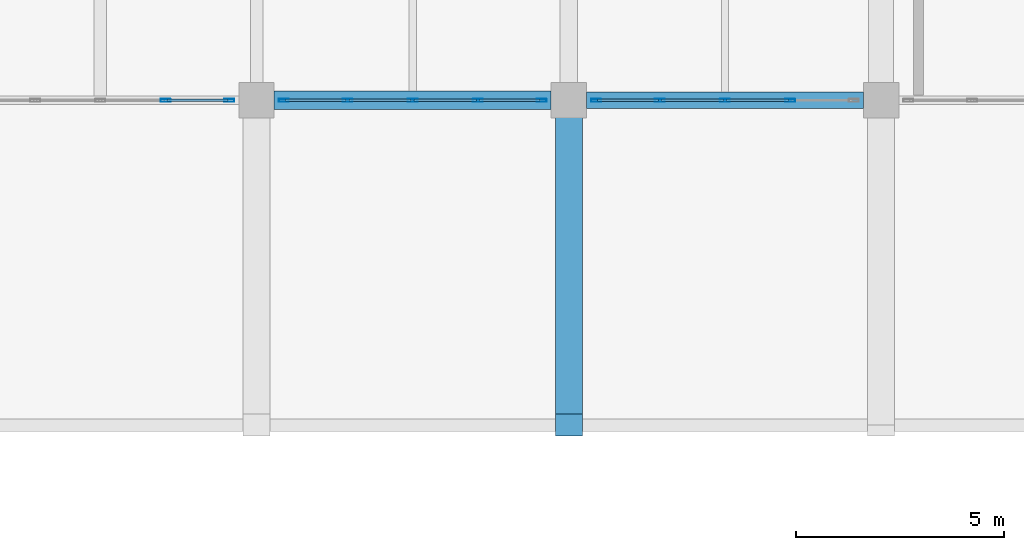
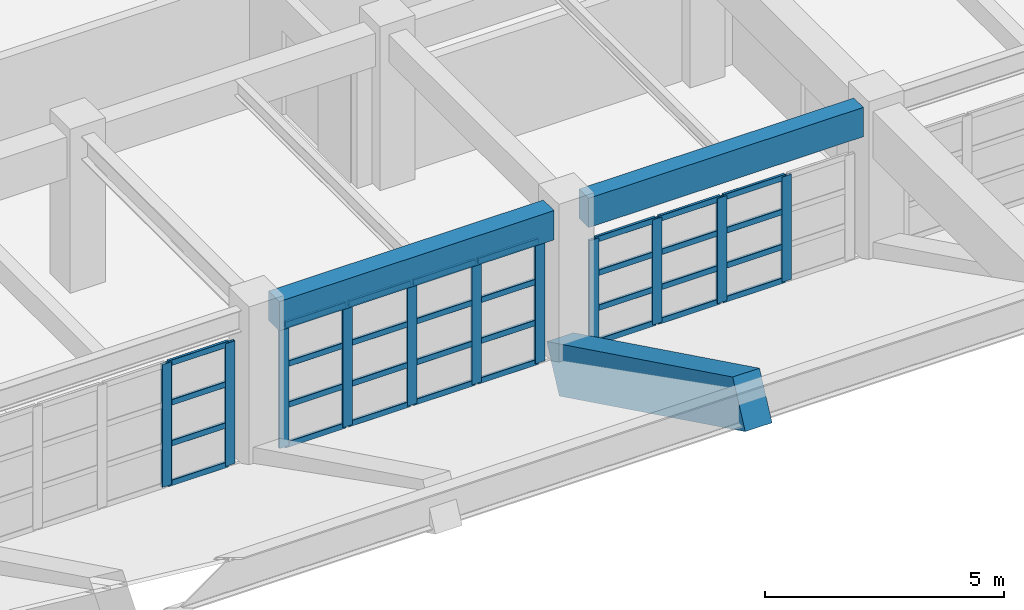
# One storey, part 32 of 132: 43 members, 3 beams, 3 elements without a shape of their own.
"""IFC4 building model written with IfcOpenShell, lengths in metres."""

from ifc_helpers import new_model, si_unit, direction, frame, origin, origin_2d, place, context, subcontext, project, spatial, rectangle, hollow_rectangle, extrude, material, material_profile, profile_set, type_object, element, aggregate, save


model = new_model("IFC4")

# Units and contexts
model_context = context("Model", 3, precision=1e-05, world=origin(), true_north=direction((0.0, 1.0)))
body_context = subcontext(model_context, "Body", "Model", "MODEL_VIEW")
ifc_project = project(units=[si_unit("LENGTHUNIT", "METRE"), si_unit("AREAUNIT", "SQUARE_METRE"), si_unit("VOLUMEUNIT", "CUBIC_METRE"), si_unit("PLANEANGLEUNIT", "RADIAN"), si_unit("MASSUNIT", "GRAM", prefix="KILO")], contexts=[model_context])

# Site, building, storey
site_placement = place(None, origin())
site = spatial("IfcSite", under=ifc_project, at=site_placement, CompositionType="ELEMENT")
building_placement = place(site_placement, origin())
building = spatial("IfcBuilding", under=site, at=building_placement, Name="Qasida Concert Hall", CompositionType="ELEMENT")
storey_placement = place(building_placement, frame((0.0, 0.0, 4.800048828125)))
storey = spatial("IfcBuildingStorey", under=building, at=storey_placement, Name="L01", CompositionType="ELEMENT", Elevation=4.800048828125)

# Beams
ifc_material_1 = material(Name="Concrete C50/60", Category="concrete")
ifc_material_profile_1 = material_profile(ifc_material_1, rectangle(XDim=0.64990234375, YDim=1.199951171875, at=origin_2d()), Name="RC 650x1200")
ifc_profile_set_1 = profile_set([ifc_material_profile_1], Name="Concrete C50/60")
beam_type_1 = type_object("IfcBeamType", Name="BM-CG-1200", PredefinedType="USERDEFINED", material=ifc_profile_set_1)
beam_1_placement = place(storey_placement, frame((90.0, 22.5, -0.300048828125), z_axis=(0.0, -0.898079250291, 0.439833673332), x_axis=(1.0, 0.0, 0.0)))
element("IfcBeam", 1, at=beam_1_placement, inside=storey, type_object=beam_type_1, Name="Upward-raked entrance soffit girder CGRK-900", ObjectType="GIRDER", PredefinedType="USERDEFINED", context=body_context, shape_type="SweptSolid", body=[
    extrude(rectangle(XDim=0.64990234375, YDim=1.199951171875, at=origin_2d()), origin(), (0.0, 0.0, 1.0), 8.685302734375),
])
ifc_material_2 = material(Name="Concrete C40/50", Category="concrete")
ifc_material_profile_2 = material_profile(ifc_material_2, rectangle(XDim=0.39990234375, YDim=0.75, at=origin_2d()), Name="RC 400x750")
ifc_profile_set_2 = profile_set([ifc_material_profile_2], Name="Concrete C40/50")
beam_type_2 = type_object("IfcBeamType", Name="BM-SP1", PredefinedType="SPANDREL", material=ifc_profile_set_2)
beam_2_placement = place(storey_placement, frame((90.425048828125, 22.5, 3.544921875), z_axis=(1.0, 0.0, 0.0), x_axis=(0.0, 1.0, 0.0)))
element("IfcBeam", 2, at=beam_2_placement, inside=storey, type_object=beam_type_2, Name="Primary girder 0765", PredefinedType="SPANDREL", context=body_context, shape_type="SweptSolid", body=[
    extrude(rectangle(XDim=0.39990234375, YDim=0.75, at=origin_2d()), origin(), (0.0, 0.0, 1.0), 6.64990234375),
])
ifc_material_profile_3 = material_profile(ifc_material_2, rectangle(XDim=0.449951171875, YDim=0.75, at=origin_2d()), Name="RC 450x750")
ifc_profile_set_3 = profile_set([ifc_material_profile_3], Name="Concrete C40/50")
beam_type_3 = type_object("IfcBeamType", Name="BM-SP4", PredefinedType="SPANDREL", material=ifc_profile_set_3)
beam_3_placement = place(storey_placement, frame((82.925048828125, 22.5, 3.544921875), z_axis=(1.0, 0.0, 0.0), x_axis=(0.0, 1.0, 0.0)))
element("IfcBeam", 3, at=beam_3_placement, inside=storey, type_object=beam_type_3, Name="Primary girder 0764", PredefinedType="SPANDREL", context=body_context, shape_type="SweptSolid", body=[
    extrude(rectangle(XDim=0.449951171875, YDim=0.75, at=origin_2d()), origin(), (0.0, 0.0, 1.0), 6.64990234375),
])

# Curtain wall, members
ifc_material_3 = material(Name="Architectural bronze-anodized aluminium and low-E glass", Category="aluminium")
curtain_wall_type = type_object("IfcCurtainWallType", Name="CW-02", PredefinedType="NOTDEFINED", material=ifc_material_3)
curtain_wall_1_placement = place(storey_placement, origin())
curtain_wall_1 = element("IfcCurtainWall", 4, at=curtain_wall_1_placement, inside=storey, type_object=curtain_wall_type, Name="L01 curtain wall CW-02 0004", PredefinedType="NOTDEFINED")
ifc_material_4 = material(Name="Architectural bronze-anodized aluminium EN AW-6063", Category="aluminium")
ifc_material_profile_4 = material_profile(ifc_material_4, hollow_rectangle(XDim=0.070068359375, YDim=0.239990234375, WallThickness=0.0048828125, InnerFilletRadius=0.0048828125, OuterFilletRadius=0.010009765625, at=origin_2d()), Name="CWM 240x70x5")
ifc_profile_set_4 = profile_set([ifc_material_profile_4], Name="Architectural bronze-anodized aluminium EN AW-6063")
member_type_1 = type_object("IfcMemberType", Name="MB-CWM-1", PredefinedType="MULLION", material=ifc_profile_set_4)
member_1_placement = place(storey_placement, frame((80.31494140625, 22.5, 0.0), z_axis=(0.0, 0.0, 1.0), x_axis=(0.0, 1.0, 0.0)))
member_1 = element("IfcMember", 5, at=member_1_placement, type_object=member_type_1, Name="CW-02 mullion 4", PredefinedType="MULLION", context=body_context, shape_type="SweptSolid", body=[
    extrude(hollow_rectangle(XDim=0.070068359375, YDim=0.239990234375, WallThickness=0.0048828125, InnerFilletRadius=0.0048828125, OuterFilletRadius=0.010009765625, at=origin_2d()), origin(), (0.0, 0.0, 1.0), 3.139892578125),
])
member_2_placement = place(storey_placement, frame((81.844970703125, 22.5, 0.0), z_axis=(0.0, 0.0, 1.0), x_axis=(0.0, 1.0, 0.0)))
member_2 = element("IfcMember", 6, at=member_2_placement, type_object=member_type_1, Name="CW-02 mullion 5", PredefinedType="MULLION", context=body_context, shape_type="SweptSolid", body=[
    extrude(hollow_rectangle(XDim=0.070068359375, YDim=0.239990234375, WallThickness=0.0048828125, InnerFilletRadius=0.0048828125, OuterFilletRadius=0.010009765625, at=origin_2d()), origin(), (0.0, 0.0, 1.0), 3.139892578125),
])

curtain_wall_2_placement = place(storey_placement, origin())
curtain_wall_2 = element("IfcCurtainWall", 7, at=curtain_wall_2_placement, inside=storey, type_object=curtain_wall_type, Name="L01 curtain wall CW-02 0005", PredefinedType="NOTDEFINED")
member_3_placement = place(storey_placement, frame((83.155029296875, 22.5, 0.0), z_axis=(0.0, 0.0, 1.0), x_axis=(0.0, 1.0, 0.0)))
member_3 = element("IfcMember", 8, at=member_3_placement, type_object=member_type_1, Name="CW-02 mullion 1", PredefinedType="MULLION", context=body_context, shape_type="SweptSolid", body=[
    extrude(hollow_rectangle(XDim=0.070068359375, YDim=0.239990234375, WallThickness=0.0048828125, InnerFilletRadius=0.0048828125, OuterFilletRadius=0.010009765625, at=origin_2d()), origin(), (0.0, 0.0, 1.0), 3.139892578125),
])
member_4_placement = place(storey_placement, frame((84.68505859375, 22.5, 0.0), z_axis=(0.0, 0.0, 1.0), x_axis=(0.0, 1.0, 0.0)))
member_4 = element("IfcMember", 9, at=member_4_placement, type_object=member_type_1, Name="CW-02 mullion 2", PredefinedType="MULLION", context=body_context, shape_type="SweptSolid", body=[
    extrude(hollow_rectangle(XDim=0.070068359375, YDim=0.239990234375, WallThickness=0.0048828125, InnerFilletRadius=0.0048828125, OuterFilletRadius=0.010009765625, at=origin_2d()), origin(), (0.0, 0.0, 1.0), 3.139892578125),
])
member_5_placement = place(storey_placement, frame((86.25, 22.5, 0.0), z_axis=(0.0, 0.0, 1.0), x_axis=(0.0, 1.0, 0.0)))
member_5 = element("IfcMember", 10, at=member_5_placement, type_object=member_type_1, Name="CW-02 mullion 3", PredefinedType="MULLION", context=body_context, shape_type="SweptSolid", body=[
    extrude(hollow_rectangle(XDim=0.070068359375, YDim=0.239990234375, WallThickness=0.0048828125, InnerFilletRadius=0.0048828125, OuterFilletRadius=0.010009765625, at=origin_2d()), origin(), (0.0, 0.0, 1.0), 3.139892578125),
])
member_6_placement = place(storey_placement, frame((87.81494140625, 22.5, 0.0), z_axis=(0.0, 0.0, 1.0), x_axis=(0.0, 1.0, 0.0)))
member_6 = element("IfcMember", 11, at=member_6_placement, type_object=member_type_1, Name="CW-02 mullion 4", PredefinedType="MULLION", context=body_context, shape_type="SweptSolid", body=[
    extrude(hollow_rectangle(XDim=0.070068359375, YDim=0.239990234375, WallThickness=0.0048828125, InnerFilletRadius=0.0048828125, OuterFilletRadius=0.010009765625, at=origin_2d()), origin(), (0.0, 0.0, 1.0), 3.139892578125),
])
member_7_placement = place(storey_placement, frame((89.344970703125, 22.5, 0.0), z_axis=(0.0, 0.0, 1.0), x_axis=(0.0, 1.0, 0.0)))
member_7 = element("IfcMember", 12, at=member_7_placement, type_object=member_type_1, Name="CW-02 mullion 5", PredefinedType="MULLION", context=body_context, shape_type="SweptSolid", body=[
    extrude(hollow_rectangle(XDim=0.070068359375, YDim=0.239990234375, WallThickness=0.0048828125, InnerFilletRadius=0.0048828125, OuterFilletRadius=0.010009765625, at=origin_2d()), origin(), (0.0, 0.0, 1.0), 3.139892578125),
])

curtain_wall_3_placement = place(storey_placement, origin())
curtain_wall_3 = element("IfcCurtainWall", 13, at=curtain_wall_3_placement, inside=storey, type_object=curtain_wall_type, Name="L01 curtain wall CW-02 0006", PredefinedType="NOTDEFINED")
member_8_placement = place(storey_placement, frame((90.655029296875, 22.5, 0.0), z_axis=(0.0, 0.0, 1.0), x_axis=(0.0, 1.0, 0.0)))
member_8 = element("IfcMember", 14, at=member_8_placement, type_object=member_type_1, Name="CW-02 mullion 1", PredefinedType="MULLION", context=body_context, shape_type="SweptSolid", body=[
    extrude(hollow_rectangle(XDim=0.070068359375, YDim=0.239990234375, WallThickness=0.0048828125, InnerFilletRadius=0.0048828125, OuterFilletRadius=0.010009765625, at=origin_2d()), origin(), (0.0, 0.0, 1.0), 2.68994140625),
])
member_9_placement = place(storey_placement, frame((92.18505859375, 22.5, 0.0), z_axis=(0.0, 0.0, 1.0), x_axis=(0.0, 1.0, 0.0)))
member_9 = element("IfcMember", 15, at=member_9_placement, type_object=member_type_1, Name="CW-02 mullion 2", PredefinedType="MULLION", context=body_context, shape_type="SweptSolid", body=[
    extrude(hollow_rectangle(XDim=0.070068359375, YDim=0.239990234375, WallThickness=0.0048828125, InnerFilletRadius=0.0048828125, OuterFilletRadius=0.010009765625, at=origin_2d()), origin(), (0.0, 0.0, 1.0), 2.68994140625),
])
member_10_placement = place(storey_placement, frame((93.75, 22.5, 0.0), z_axis=(0.0, 0.0, 1.0), x_axis=(0.0, 1.0, 0.0)))
member_10 = element("IfcMember", 16, at=member_10_placement, type_object=member_type_1, Name="CW-02 mullion 3", PredefinedType="MULLION", context=body_context, shape_type="SweptSolid", body=[
    extrude(hollow_rectangle(XDim=0.070068359375, YDim=0.239990234375, WallThickness=0.0048828125, InnerFilletRadius=0.0048828125, OuterFilletRadius=0.010009765625, at=origin_2d()), origin(), (0.0, 0.0, 1.0), 2.68994140625),
])
member_11_placement = place(storey_placement, frame((95.31494140625, 22.5, 0.0), z_axis=(0.0, 0.0, 1.0), x_axis=(0.0, 1.0, 0.0)))
member_11 = element("IfcMember", 17, at=member_11_placement, type_object=member_type_1, Name="CW-02 mullion 4", PredefinedType="MULLION", context=body_context, shape_type="SweptSolid", body=[
    extrude(hollow_rectangle(XDim=0.070068359375, YDim=0.239990234375, WallThickness=0.0048828125, InnerFilletRadius=0.0048828125, OuterFilletRadius=0.010009765625, at=origin_2d()), origin(), (0.0, 0.0, 1.0), 2.68994140625),
])

# Member
ifc_material_profile_5 = material_profile(ifc_material_4, hollow_rectangle(XDim=0.06494140625, YDim=0.14990234375, WallThickness=0.00390625, InnerFilletRadius=0.00390625, OuterFilletRadius=0.008056640625, at=origin_2d()), Name="CWT 150x65x4")
ifc_profile_set_5 = profile_set([ifc_material_profile_5], Name="Architectural bronze-anodized aluminium EN AW-6063")
member_type_2 = type_object("IfcMemberType", Name="MB-CWT-1", PredefinedType="USERDEFINED", material=ifc_profile_set_5)
member_12_placement = place(storey_placement, frame((80.35009765625, 22.5, 0.032470703125), z_axis=(1.0, 0.0, 0.0), x_axis=(0.0, 1.0, 0.0)))
member_12 = element("IfcMember", 18, at=member_12_placement, type_object=member_type_2, Name="CW-02 transom 4.1", ObjectType="TRANSOM", PredefinedType="USERDEFINED", context=body_context, shape_type="SweptSolid", body=[
    extrude(hollow_rectangle(XDim=0.06494140625, YDim=0.14990234375, WallThickness=0.00390625, InnerFilletRadius=0.00390625, OuterFilletRadius=0.008056640625, at=origin_2d()), origin(), (0.0, 0.0, 1.0), 1.4599609375),
])

member_13_placement = place(storey_placement, frame((80.35009765625, 22.5, 1.046630859375), z_axis=(1.0, 0.0, 0.0), x_axis=(0.0, 1.0, 0.0)))
member_13 = element("IfcMember", 19, at=member_13_placement, type_object=member_type_2, Name="CW-02 transom 4.2", ObjectType="TRANSOM", PredefinedType="USERDEFINED", context=body_context, shape_type="SweptSolid", body=[
    extrude(hollow_rectangle(XDim=0.06494140625, YDim=0.14990234375, WallThickness=0.00390625, InnerFilletRadius=0.00390625, OuterFilletRadius=0.008056640625, at=origin_2d()), origin(), (0.0, 0.0, 1.0), 1.4599609375),
])

member_14_placement = place(storey_placement, frame((80.35009765625, 22.5, 2.09326171875), z_axis=(1.0, 0.0, 0.0), x_axis=(0.0, 1.0, 0.0)))
member_14 = element("IfcMember", 20, at=member_14_placement, type_object=member_type_2, Name="CW-02 transom 4.3", ObjectType="TRANSOM", PredefinedType="USERDEFINED", context=body_context, shape_type="SweptSolid", body=[
    extrude(hollow_rectangle(XDim=0.06494140625, YDim=0.14990234375, WallThickness=0.00390625, InnerFilletRadius=0.00390625, OuterFilletRadius=0.008056640625, at=origin_2d()), origin(), (0.0, 0.0, 1.0), 1.4599609375),
])

member_15_placement = place(storey_placement, frame((80.35009765625, 22.5, 3.107421875), z_axis=(1.0, 0.0, 0.0), x_axis=(0.0, 1.0, 0.0)))
member_15 = element("IfcMember", 21, at=member_15_placement, type_object=member_type_2, Name="CW-02 transom 4.4", ObjectType="TRANSOM", PredefinedType="USERDEFINED", context=body_context, shape_type="SweptSolid", body=[
    extrude(hollow_rectangle(XDim=0.06494140625, YDim=0.14990234375, WallThickness=0.00390625, InnerFilletRadius=0.00390625, OuterFilletRadius=0.008056640625, at=origin_2d()), origin(), (0.0, 0.0, 1.0), 1.4599609375),
])

aggregate(curtain_wall_1, [member_1, member_2, member_12, member_13, member_14, member_15])

member_16_placement = place(storey_placement, frame((83.18994140625, 22.5, 0.032470703125), z_axis=(1.0, 0.0, 0.0), x_axis=(0.0, 1.0, 0.0)))
member_16 = element("IfcMember", 22, at=member_16_placement, type_object=member_type_2, Name="CW-02 transom 1.1", ObjectType="TRANSOM", PredefinedType="USERDEFINED", context=body_context, shape_type="SweptSolid", body=[
    extrude(hollow_rectangle(XDim=0.06494140625, YDim=0.14990234375, WallThickness=0.00390625, InnerFilletRadius=0.00390625, OuterFilletRadius=0.008056640625, at=origin_2d()), origin(), (0.0, 0.0, 1.0), 1.4599609375),
])

member_17_placement = place(storey_placement, frame((83.18994140625, 22.5, 1.046630859375), z_axis=(1.0, 0.0, 0.0), x_axis=(0.0, 1.0, 0.0)))
member_17 = element("IfcMember", 23, at=member_17_placement, type_object=member_type_2, Name="CW-02 transom 1.2", ObjectType="TRANSOM", PredefinedType="USERDEFINED", context=body_context, shape_type="SweptSolid", body=[
    extrude(hollow_rectangle(XDim=0.06494140625, YDim=0.14990234375, WallThickness=0.00390625, InnerFilletRadius=0.00390625, OuterFilletRadius=0.008056640625, at=origin_2d()), origin(), (0.0, 0.0, 1.0), 1.4599609375),
])

member_18_placement = place(storey_placement, frame((83.18994140625, 22.5, 2.09326171875), z_axis=(1.0, 0.0, 0.0), x_axis=(0.0, 1.0, 0.0)))
member_18 = element("IfcMember", 24, at=member_18_placement, type_object=member_type_2, Name="CW-02 transom 1.3", ObjectType="TRANSOM", PredefinedType="USERDEFINED", context=body_context, shape_type="SweptSolid", body=[
    extrude(hollow_rectangle(XDim=0.06494140625, YDim=0.14990234375, WallThickness=0.00390625, InnerFilletRadius=0.00390625, OuterFilletRadius=0.008056640625, at=origin_2d()), origin(), (0.0, 0.0, 1.0), 1.4599609375),
])

member_19_placement = place(storey_placement, frame((83.18994140625, 22.5, 3.107421875), z_axis=(1.0, 0.0, 0.0), x_axis=(0.0, 1.0, 0.0)))
member_19 = element("IfcMember", 25, at=member_19_placement, type_object=member_type_2, Name="CW-02 transom 1.4", ObjectType="TRANSOM", PredefinedType="USERDEFINED", context=body_context, shape_type="SweptSolid", body=[
    extrude(hollow_rectangle(XDim=0.06494140625, YDim=0.14990234375, WallThickness=0.00390625, InnerFilletRadius=0.00390625, OuterFilletRadius=0.008056640625, at=origin_2d()), origin(), (0.0, 0.0, 1.0), 1.4599609375),
])

member_20_placement = place(storey_placement, frame((84.719970703125, 22.5, 0.032470703125), z_axis=(1.0, 0.0, 0.0), x_axis=(0.0, 1.0, 0.0)))
member_20 = element("IfcMember", 26, at=member_20_placement, type_object=member_type_2, Name="CW-02 transom 2.1", ObjectType="TRANSOM", PredefinedType="USERDEFINED", context=body_context, shape_type="SweptSolid", body=[
    extrude(hollow_rectangle(XDim=0.06494140625, YDim=0.14990234375, WallThickness=0.00390625, InnerFilletRadius=0.00390625, OuterFilletRadius=0.008056640625, at=origin_2d()), origin(), (0.0, 0.0, 1.0), 1.4951171875),
])

member_21_placement = place(storey_placement, frame((84.719970703125, 22.5, 1.046630859375), z_axis=(1.0, 0.0, 0.0), x_axis=(0.0, 1.0, 0.0)))
member_21 = element("IfcMember", 27, at=member_21_placement, type_object=member_type_2, Name="CW-02 transom 2.2", ObjectType="TRANSOM", PredefinedType="USERDEFINED", context=body_context, shape_type="SweptSolid", body=[
    extrude(hollow_rectangle(XDim=0.06494140625, YDim=0.14990234375, WallThickness=0.00390625, InnerFilletRadius=0.00390625, OuterFilletRadius=0.008056640625, at=origin_2d()), origin(), (0.0, 0.0, 1.0), 1.4951171875),
])

member_22_placement = place(storey_placement, frame((84.719970703125, 22.5, 2.09326171875), z_axis=(1.0, 0.0, 0.0), x_axis=(0.0, 1.0, 0.0)))
member_22 = element("IfcMember", 28, at=member_22_placement, type_object=member_type_2, Name="CW-02 transom 2.3", ObjectType="TRANSOM", PredefinedType="USERDEFINED", context=body_context, shape_type="SweptSolid", body=[
    extrude(hollow_rectangle(XDim=0.06494140625, YDim=0.14990234375, WallThickness=0.00390625, InnerFilletRadius=0.00390625, OuterFilletRadius=0.008056640625, at=origin_2d()), origin(), (0.0, 0.0, 1.0), 1.4951171875),
])

member_23_placement = place(storey_placement, frame((84.719970703125, 22.5, 3.107421875), z_axis=(1.0, 0.0, 0.0), x_axis=(0.0, 1.0, 0.0)))
member_23 = element("IfcMember", 29, at=member_23_placement, type_object=member_type_2, Name="CW-02 transom 2.4", ObjectType="TRANSOM", PredefinedType="USERDEFINED", context=body_context, shape_type="SweptSolid", body=[
    extrude(hollow_rectangle(XDim=0.06494140625, YDim=0.14990234375, WallThickness=0.00390625, InnerFilletRadius=0.00390625, OuterFilletRadius=0.008056640625, at=origin_2d()), origin(), (0.0, 0.0, 1.0), 1.4951171875),
])

member_24_placement = place(storey_placement, frame((86.284912109375, 22.5, 0.032470703125), z_axis=(1.0, 0.0, 0.0), x_axis=(0.0, 1.0, 0.0)))
member_24 = element("IfcMember", 30, at=member_24_placement, type_object=member_type_2, Name="CW-02 transom 3.1", ObjectType="TRANSOM", PredefinedType="USERDEFINED", context=body_context, shape_type="SweptSolid", body=[
    extrude(hollow_rectangle(XDim=0.06494140625, YDim=0.14990234375, WallThickness=0.00390625, InnerFilletRadius=0.00390625, OuterFilletRadius=0.008056640625, at=origin_2d()), origin(), (0.0, 0.0, 1.0), 1.4951171875),
])

member_25_placement = place(storey_placement, frame((86.284912109375, 22.5, 1.046630859375), z_axis=(1.0, 0.0, 0.0), x_axis=(0.0, 1.0, 0.0)))
member_25 = element("IfcMember", 31, at=member_25_placement, type_object=member_type_2, Name="CW-02 transom 3.2", ObjectType="TRANSOM", PredefinedType="USERDEFINED", context=body_context, shape_type="SweptSolid", body=[
    extrude(hollow_rectangle(XDim=0.06494140625, YDim=0.14990234375, WallThickness=0.00390625, InnerFilletRadius=0.00390625, OuterFilletRadius=0.008056640625, at=origin_2d()), origin(), (0.0, 0.0, 1.0), 1.4951171875),
])

member_26_placement = place(storey_placement, frame((86.284912109375, 22.5, 2.09326171875), z_axis=(1.0, 0.0, 0.0), x_axis=(0.0, 1.0, 0.0)))
member_26 = element("IfcMember", 32, at=member_26_placement, type_object=member_type_2, Name="CW-02 transom 3.3", ObjectType="TRANSOM", PredefinedType="USERDEFINED", context=body_context, shape_type="SweptSolid", body=[
    extrude(hollow_rectangle(XDim=0.06494140625, YDim=0.14990234375, WallThickness=0.00390625, InnerFilletRadius=0.00390625, OuterFilletRadius=0.008056640625, at=origin_2d()), origin(), (0.0, 0.0, 1.0), 1.4951171875),
])

member_27_placement = place(storey_placement, frame((86.284912109375, 22.5, 3.107421875), z_axis=(1.0, 0.0, 0.0), x_axis=(0.0, 1.0, 0.0)))
member_27 = element("IfcMember", 33, at=member_27_placement, type_object=member_type_2, Name="CW-02 transom 3.4", ObjectType="TRANSOM", PredefinedType="USERDEFINED", context=body_context, shape_type="SweptSolid", body=[
    extrude(hollow_rectangle(XDim=0.06494140625, YDim=0.14990234375, WallThickness=0.00390625, InnerFilletRadius=0.00390625, OuterFilletRadius=0.008056640625, at=origin_2d()), origin(), (0.0, 0.0, 1.0), 1.4951171875),
])

member_28_placement = place(storey_placement, frame((87.85009765625, 22.5, 0.032470703125), z_axis=(1.0, 0.0, 0.0), x_axis=(0.0, 1.0, 0.0)))
member_28 = element("IfcMember", 34, at=member_28_placement, type_object=member_type_2, Name="CW-02 transom 4.1", ObjectType="TRANSOM", PredefinedType="USERDEFINED", context=body_context, shape_type="SweptSolid", body=[
    extrude(hollow_rectangle(XDim=0.06494140625, YDim=0.14990234375, WallThickness=0.00390625, InnerFilletRadius=0.00390625, OuterFilletRadius=0.008056640625, at=origin_2d()), origin(), (0.0, 0.0, 1.0), 1.4599609375),
])

member_29_placement = place(storey_placement, frame((87.85009765625, 22.5, 1.046630859375), z_axis=(1.0, 0.0, 0.0), x_axis=(0.0, 1.0, 0.0)))
member_29 = element("IfcMember", 35, at=member_29_placement, type_object=member_type_2, Name="CW-02 transom 4.2", ObjectType="TRANSOM", PredefinedType="USERDEFINED", context=body_context, shape_type="SweptSolid", body=[
    extrude(hollow_rectangle(XDim=0.06494140625, YDim=0.14990234375, WallThickness=0.00390625, InnerFilletRadius=0.00390625, OuterFilletRadius=0.008056640625, at=origin_2d()), origin(), (0.0, 0.0, 1.0), 1.4599609375),
])

member_30_placement = place(storey_placement, frame((87.85009765625, 22.5, 2.09326171875), z_axis=(1.0, 0.0, 0.0), x_axis=(0.0, 1.0, 0.0)))
member_30 = element("IfcMember", 36, at=member_30_placement, type_object=member_type_2, Name="CW-02 transom 4.3", ObjectType="TRANSOM", PredefinedType="USERDEFINED", context=body_context, shape_type="SweptSolid", body=[
    extrude(hollow_rectangle(XDim=0.06494140625, YDim=0.14990234375, WallThickness=0.00390625, InnerFilletRadius=0.00390625, OuterFilletRadius=0.008056640625, at=origin_2d()), origin(), (0.0, 0.0, 1.0), 1.4599609375),
])

member_31_placement = place(storey_placement, frame((87.85009765625, 22.5, 3.107421875), z_axis=(1.0, 0.0, 0.0), x_axis=(0.0, 1.0, 0.0)))
member_31 = element("IfcMember", 37, at=member_31_placement, type_object=member_type_2, Name="CW-02 transom 4.4", ObjectType="TRANSOM", PredefinedType="USERDEFINED", context=body_context, shape_type="SweptSolid", body=[
    extrude(hollow_rectangle(XDim=0.06494140625, YDim=0.14990234375, WallThickness=0.00390625, InnerFilletRadius=0.00390625, OuterFilletRadius=0.008056640625, at=origin_2d()), origin(), (0.0, 0.0, 1.0), 1.4599609375),
])

aggregate(curtain_wall_2, [member_3, member_4, member_5, member_6, member_7, member_16, member_17, member_18, member_19, member_20, member_21, member_22, member_23, member_24, member_25, member_26, member_27, member_28, member_29, member_30, member_31])

member_32_placement = place(storey_placement, frame((90.68994140625, 22.5, 0.032470703125), z_axis=(1.0, 0.0, 0.0), x_axis=(0.0, 1.0, 0.0)))
member_32 = element("IfcMember", 38, at=member_32_placement, type_object=member_type_2, Name="CW-02 transom 1.1", ObjectType="TRANSOM", PredefinedType="USERDEFINED", context=body_context, shape_type="SweptSolid", body=[
    extrude(hollow_rectangle(XDim=0.06494140625, YDim=0.14990234375, WallThickness=0.00390625, InnerFilletRadius=0.00390625, OuterFilletRadius=0.008056640625, at=origin_2d()), origin(), (0.0, 0.0, 1.0), 1.4599609375),
])

member_33_placement = place(storey_placement, frame((90.68994140625, 22.5, 0.896728515625), z_axis=(1.0, 0.0, 0.0), x_axis=(0.0, 1.0, 0.0)))
member_33 = element("IfcMember", 39, at=member_33_placement, type_object=member_type_2, Name="CW-02 transom 1.2", ObjectType="TRANSOM", PredefinedType="USERDEFINED", context=body_context, shape_type="SweptSolid", body=[
    extrude(hollow_rectangle(XDim=0.06494140625, YDim=0.14990234375, WallThickness=0.00390625, InnerFilletRadius=0.00390625, OuterFilletRadius=0.008056640625, at=origin_2d()), origin(), (0.0, 0.0, 1.0), 1.4599609375),
])

member_34_placement = place(storey_placement, frame((90.68994140625, 22.5, 1.793212890625), z_axis=(1.0, 0.0, 0.0), x_axis=(0.0, 1.0, 0.0)))
member_34 = element("IfcMember", 40, at=member_34_placement, type_object=member_type_2, Name="CW-02 transom 1.3", ObjectType="TRANSOM", PredefinedType="USERDEFINED", context=body_context, shape_type="SweptSolid", body=[
    extrude(hollow_rectangle(XDim=0.06494140625, YDim=0.14990234375, WallThickness=0.00390625, InnerFilletRadius=0.00390625, OuterFilletRadius=0.008056640625, at=origin_2d()), origin(), (0.0, 0.0, 1.0), 1.4599609375),
])

member_35_placement = place(storey_placement, frame((90.68994140625, 22.5, 2.657470703125), z_axis=(1.0, 0.0, 0.0), x_axis=(0.0, 1.0, 0.0)))
member_35 = element("IfcMember", 41, at=member_35_placement, type_object=member_type_2, Name="CW-02 transom 1.4", ObjectType="TRANSOM", PredefinedType="USERDEFINED", context=body_context, shape_type="SweptSolid", body=[
    extrude(hollow_rectangle(XDim=0.06494140625, YDim=0.14990234375, WallThickness=0.00390625, InnerFilletRadius=0.00390625, OuterFilletRadius=0.008056640625, at=origin_2d()), origin(), (0.0, 0.0, 1.0), 1.4599609375),
])

member_36_placement = place(storey_placement, frame((92.219970703125, 22.5, 0.032470703125), z_axis=(1.0, 0.0, 0.0), x_axis=(0.0, 1.0, 0.0)))
member_36 = element("IfcMember", 42, at=member_36_placement, type_object=member_type_2, Name="CW-02 transom 2.1", ObjectType="TRANSOM", PredefinedType="USERDEFINED", context=body_context, shape_type="SweptSolid", body=[
    extrude(hollow_rectangle(XDim=0.06494140625, YDim=0.14990234375, WallThickness=0.00390625, InnerFilletRadius=0.00390625, OuterFilletRadius=0.008056640625, at=origin_2d()), origin(), (0.0, 0.0, 1.0), 1.4951171875),
])

member_37_placement = place(storey_placement, frame((92.219970703125, 22.5, 0.896728515625), z_axis=(1.0, 0.0, 0.0), x_axis=(0.0, 1.0, 0.0)))
member_37 = element("IfcMember", 43, at=member_37_placement, type_object=member_type_2, Name="CW-02 transom 2.2", ObjectType="TRANSOM", PredefinedType="USERDEFINED", context=body_context, shape_type="SweptSolid", body=[
    extrude(hollow_rectangle(XDim=0.06494140625, YDim=0.14990234375, WallThickness=0.00390625, InnerFilletRadius=0.00390625, OuterFilletRadius=0.008056640625, at=origin_2d()), origin(), (0.0, 0.0, 1.0), 1.4951171875),
])

member_38_placement = place(storey_placement, frame((92.219970703125, 22.5, 1.793212890625), z_axis=(1.0, 0.0, 0.0), x_axis=(0.0, 1.0, 0.0)))
member_38 = element("IfcMember", 44, at=member_38_placement, type_object=member_type_2, Name="CW-02 transom 2.3", ObjectType="TRANSOM", PredefinedType="USERDEFINED", context=body_context, shape_type="SweptSolid", body=[
    extrude(hollow_rectangle(XDim=0.06494140625, YDim=0.14990234375, WallThickness=0.00390625, InnerFilletRadius=0.00390625, OuterFilletRadius=0.008056640625, at=origin_2d()), origin(), (0.0, 0.0, 1.0), 1.4951171875),
])

member_39_placement = place(storey_placement, frame((92.219970703125, 22.5, 2.657470703125), z_axis=(1.0, 0.0, 0.0), x_axis=(0.0, 1.0, 0.0)))
member_39 = element("IfcMember", 45, at=member_39_placement, type_object=member_type_2, Name="CW-02 transom 2.4", ObjectType="TRANSOM", PredefinedType="USERDEFINED", context=body_context, shape_type="SweptSolid", body=[
    extrude(hollow_rectangle(XDim=0.06494140625, YDim=0.14990234375, WallThickness=0.00390625, InnerFilletRadius=0.00390625, OuterFilletRadius=0.008056640625, at=origin_2d()), origin(), (0.0, 0.0, 1.0), 1.4951171875),
])

member_40_placement = place(storey_placement, frame((93.784912109375, 22.5, 0.032470703125), z_axis=(1.0, 0.0, 0.0), x_axis=(0.0, 1.0, 0.0)))
member_40 = element("IfcMember", 46, at=member_40_placement, type_object=member_type_2, Name="CW-02 transom 3.1", ObjectType="TRANSOM", PredefinedType="USERDEFINED", context=body_context, shape_type="SweptSolid", body=[
    extrude(hollow_rectangle(XDim=0.06494140625, YDim=0.14990234375, WallThickness=0.00390625, InnerFilletRadius=0.00390625, OuterFilletRadius=0.008056640625, at=origin_2d()), origin(), (0.0, 0.0, 1.0), 1.4951171875),
])

member_41_placement = place(storey_placement, frame((93.784912109375, 22.5, 0.896728515625), z_axis=(1.0, 0.0, 0.0), x_axis=(0.0, 1.0, 0.0)))
member_41 = element("IfcMember", 47, at=member_41_placement, type_object=member_type_2, Name="CW-02 transom 3.2", ObjectType="TRANSOM", PredefinedType="USERDEFINED", context=body_context, shape_type="SweptSolid", body=[
    extrude(hollow_rectangle(XDim=0.06494140625, YDim=0.14990234375, WallThickness=0.00390625, InnerFilletRadius=0.00390625, OuterFilletRadius=0.008056640625, at=origin_2d()), origin(), (0.0, 0.0, 1.0), 1.4951171875),
])

member_42_placement = place(storey_placement, frame((93.784912109375, 22.5, 1.793212890625), z_axis=(1.0, 0.0, 0.0), x_axis=(0.0, 1.0, 0.0)))
member_42 = element("IfcMember", 48, at=member_42_placement, type_object=member_type_2, Name="CW-02 transom 3.3", ObjectType="TRANSOM", PredefinedType="USERDEFINED", context=body_context, shape_type="SweptSolid", body=[
    extrude(hollow_rectangle(XDim=0.06494140625, YDim=0.14990234375, WallThickness=0.00390625, InnerFilletRadius=0.00390625, OuterFilletRadius=0.008056640625, at=origin_2d()), origin(), (0.0, 0.0, 1.0), 1.4951171875),
])

member_43_placement = place(storey_placement, frame((93.784912109375, 22.5, 2.657470703125), z_axis=(1.0, 0.0, 0.0), x_axis=(0.0, 1.0, 0.0)))
member_43 = element("IfcMember", 49, at=member_43_placement, type_object=member_type_2, Name="CW-02 transom 3.4", ObjectType="TRANSOM", PredefinedType="USERDEFINED", context=body_context, shape_type="SweptSolid", body=[
    extrude(hollow_rectangle(XDim=0.06494140625, YDim=0.14990234375, WallThickness=0.00390625, InnerFilletRadius=0.00390625, OuterFilletRadius=0.008056640625, at=origin_2d()), origin(), (0.0, 0.0, 1.0), 1.4951171875),
])

aggregate(curtain_wall_3, [member_8, member_9, member_10, member_11, member_32, member_33, member_34, member_35, member_36, member_37, member_38, member_39, member_40, member_41, member_42, member_43])

save(model, "model.ifc")
